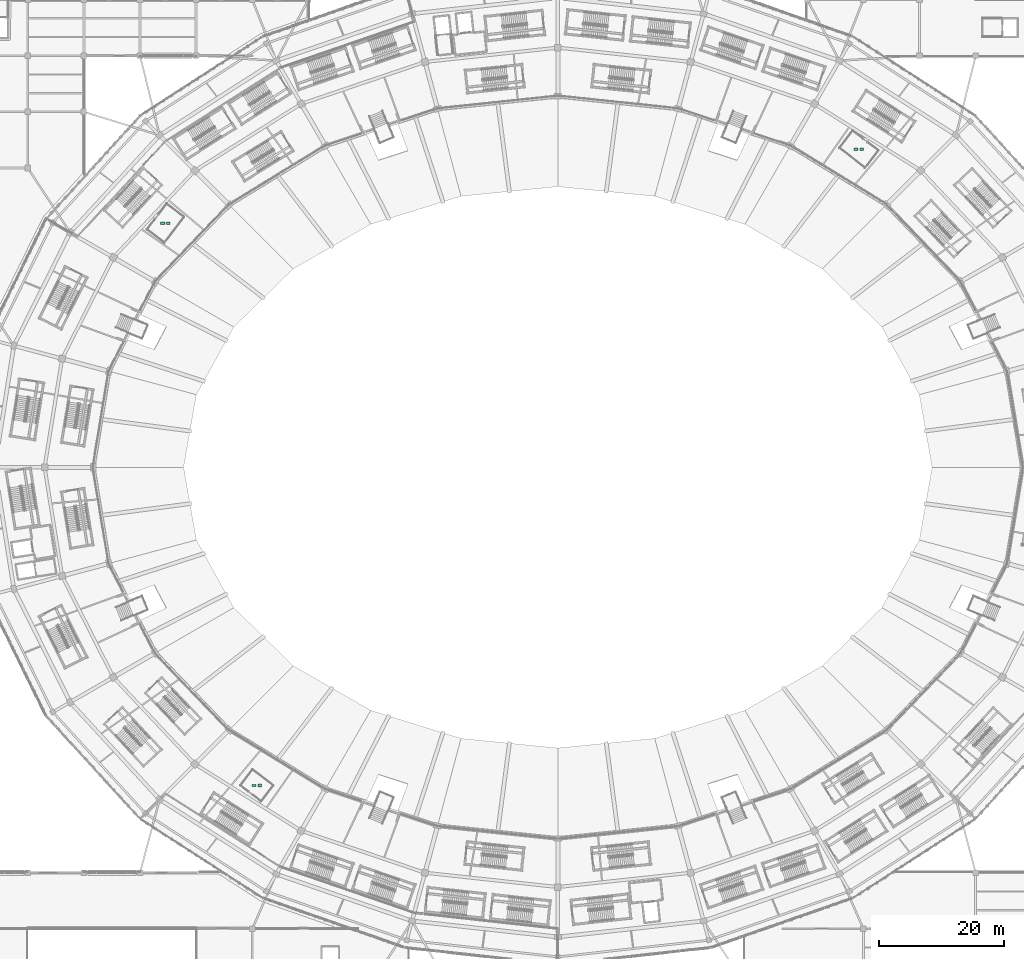
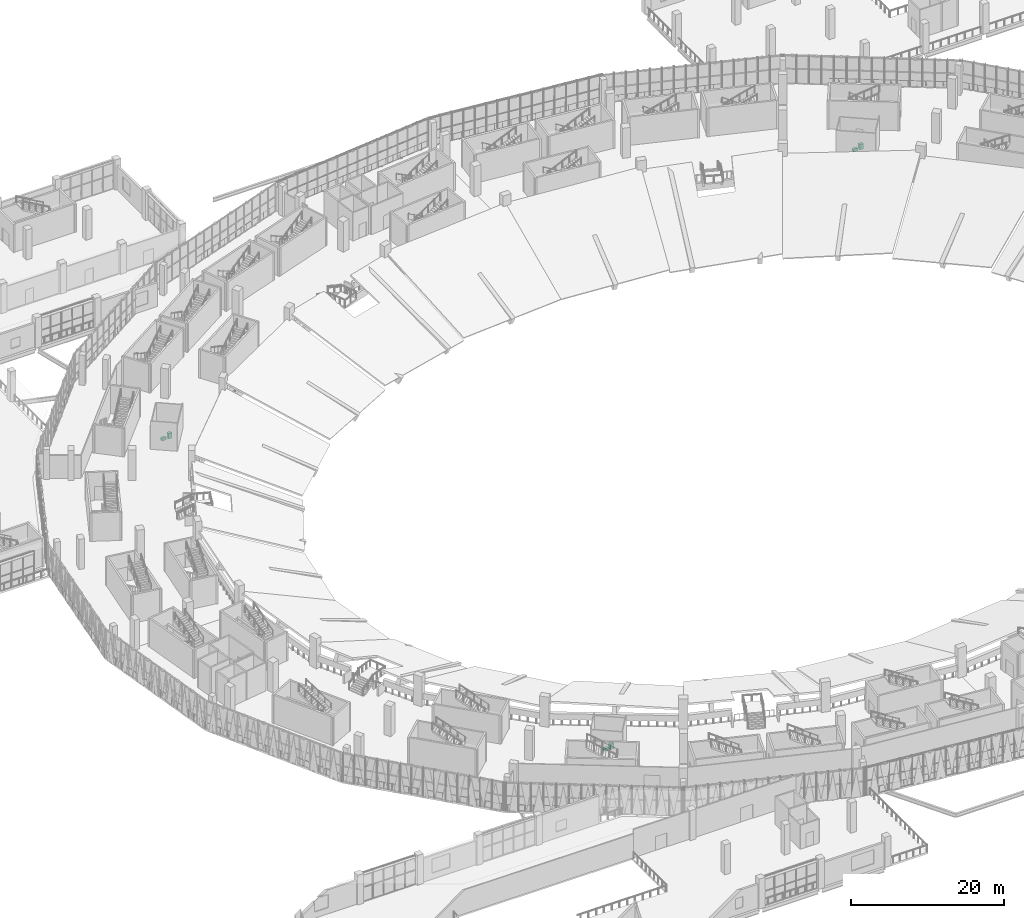
# One storey, part 183 of 183: 6 sanitary terminals.
"""IFC4 building model written with IfcOpenShell, lengths in metres."""

from ifc_helpers import new_model, si_unit, direction, frame, origin, origin_2d, place, context, subcontext, project, spatial, rectangle, extrude, material, type_object, element, save


model = new_model("IFC4")

# Units and contexts
model_context = context("Model", 3, precision=1e-05, world=origin(), true_north=direction((0.0, 1.0)))
body_context = subcontext(model_context, "Body", "Model", "MODEL_VIEW")
ifc_project = project(units=[si_unit("LENGTHUNIT", "METRE"), si_unit("AREAUNIT", "SQUARE_METRE"), si_unit("VOLUMEUNIT", "CUBIC_METRE"), si_unit("PLANEANGLEUNIT", "RADIAN"), si_unit("MASSUNIT", "GRAM", prefix="KILO")], contexts=[model_context])

# Site, building, storey
site_placement = place(None, origin())
site = spatial("IfcSite", under=ifc_project, at=site_placement, CompositionType="ELEMENT")
building_placement = place(site_placement, origin())
building = spatial("IfcBuilding", under=site, at=building_placement, Name="Zevraka Park Crest Stadium", CompositionType="ELEMENT")
storey_placement = place(building_placement, frame((0.0, 0.0, 5.39990234375)))
storey = spatial("IfcBuildingStorey", under=building, at=storey_placement, Name="L01", CompositionType="ELEMENT", Elevation=5.39990234375)

# Sanitary terminals
ifc_material_1 = material(Name="Vitreous china sanitaryware", Category="other")
sanitary_terminal_type_1 = type_object("IfcSanitaryTerminalType", Name="SAN02", PredefinedType="WASHHANDBASIN", material=ifc_material_1)
for number, where, z_axis, x_axis, name in (
    (1, (160.72509765625, 143.011962890625, 0.0), (0.0, 0.0, 1.0), (1.0, 0.0, 0.0), "Washhand Basin L01-001"),
    (2, (49.537109375, 131.14404296875, 0.0), (0.0, 0.0, 1.0), (1.0, 0.0, 0.0), "Washhand Basin L01-002"),
    (3, (64.175048828125, 40.987060546875, 0.0), (0.0, 0.0, 1.0), (1.0, 0.0, 0.0), "Washhand Basin L01-003"),
):
    element("IfcSanitaryTerminal", number, at=place(storey_placement, frame(where, z_axis=z_axis, x_axis=x_axis)), inside=storey, type_object=sanitary_terminal_type_1, Name=name, PredefinedType="WASHHANDBASIN", context=body_context, shape_type="SweptSolid", body=[
        extrude(rectangle(XDim=0.550048828125, YDim=0.449951171875, at=origin_2d()), origin(), (0.0, 0.0, 1.0), 0.85009765625),
    ])
ifc_material_2 = material(Name="Vitreous china sanitaryware", Category="other")
sanitary_terminal_type_2 = type_object("IfcSanitaryTerminalType", Name="WC01", PredefinedType="TOILETPAN", material=ifc_material_2)
for number, where, z_axis, x_axis, name in (
    (4, (159.824951171875, 143.011962890625, 0.000244140625), (0.0, 0.0, 1.0), (1.0, 0.0, 0.0), "WC Pan L01-001"),
    (5, (48.636962890625, 131.14404296875, 0.000244140625), (0.0, 0.0, 1.0), (1.0, 0.0, 0.0), "WC Pan L01-002"),
    (6, (63.27490234375, 40.987060546875, 0.000244140625), (0.0, 0.0, 1.0), (1.0, 0.0, 0.0), "WC Pan L01-003"),
):
    element("IfcSanitaryTerminal", number, at=place(storey_placement, frame(where, z_axis=z_axis, x_axis=x_axis)), inside=storey, type_object=sanitary_terminal_type_2, Name=name, PredefinedType="TOILETPAN", context=body_context, shape_type="SweptSolid", body=[
        extrude(rectangle(XDim=0.679931640625, YDim=0.3798828125, at=origin_2d()), origin(), (0.0, 0.0, 1.0), 0.419921875),
    ])

save(model, "model.ifc")
